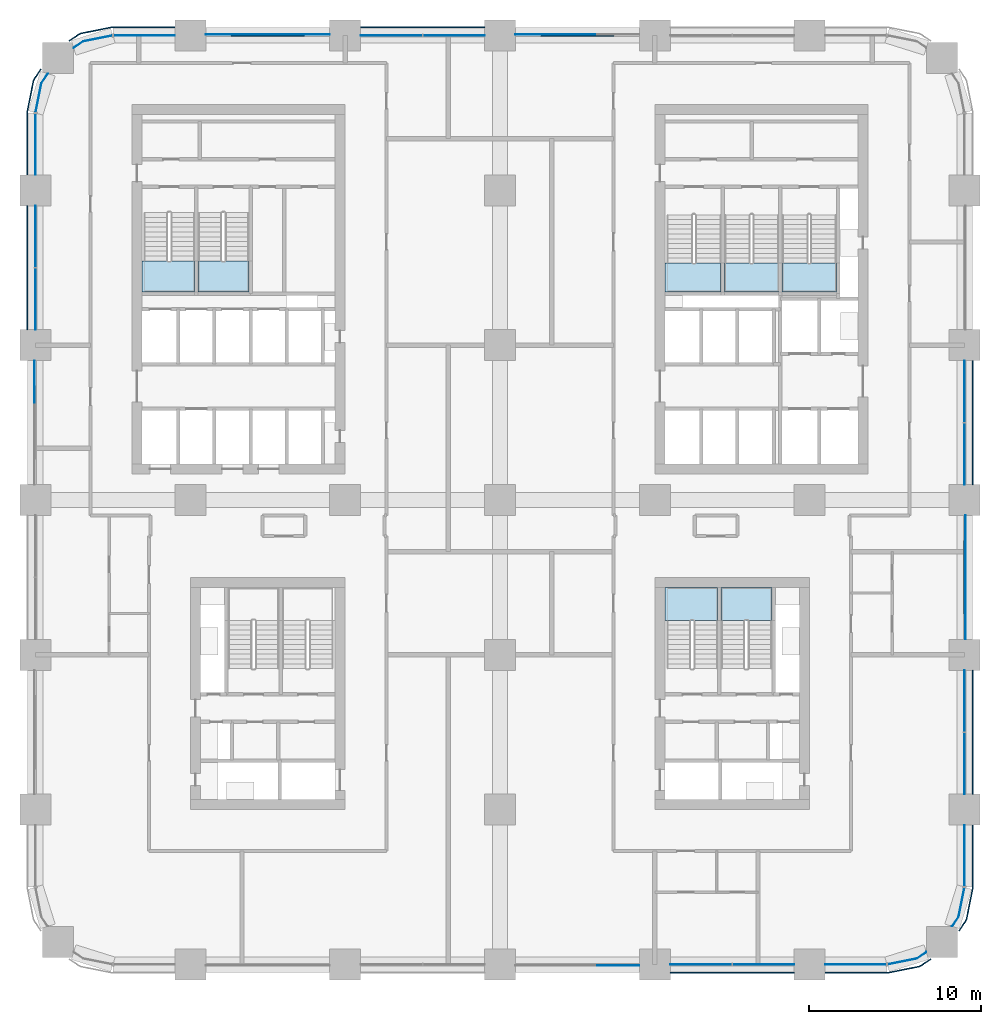
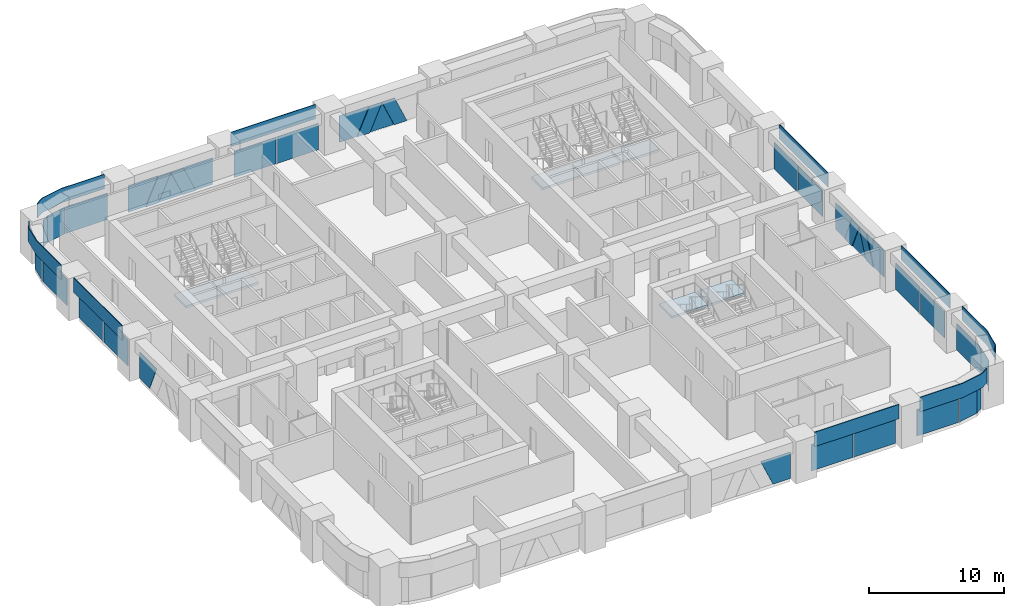
# One storey, part 11 of 21: 40 plates, 7 slabs, 21 elements without a shape of their own.
"""IFC4 building model written with IfcOpenShell, lengths in metres."""

from ifc_helpers import new_model, si_unit, direction, frame, origin, origin_2d, place, context, subcontext, project, spatial, polyline, rectangle, outline, extrude, material, layer, layer_set, type_object, element, aggregate, save


model = new_model("IFC4")

# Units and contexts
model_context = context("Model", 3, precision=1e-05, world=origin(), true_north=direction((0.0, 1.0)))
body_context = subcontext(model_context, "Body", "Model", "MODEL_VIEW")
ifc_project = project(units=[si_unit("LENGTHUNIT", "METRE"), si_unit("AREAUNIT", "SQUARE_METRE"), si_unit("VOLUMEUNIT", "CUBIC_METRE"), si_unit("PLANEANGLEUNIT", "RADIAN"), si_unit("MASSUNIT", "GRAM", prefix="KILO")], contexts=[model_context])

# Site, building, storey
site_placement = place(None, origin())
site = spatial("IfcSite", under=ifc_project, at=site_placement, CompositionType="ELEMENT")
building_placement = place(site_placement, origin())
building = spatial("IfcBuilding", under=site, at=building_placement, Name="Tessera Arch", CompositionType="ELEMENT")
storey_placement = place(building_placement, frame((0.0, 0.0, 65.199951171875)))
storey = spatial("IfcBuildingStorey", under=building, at=storey_placement, Name="L14", CompositionType="ELEMENT", Elevation=65.199951171875)

# Curtain wall, plates
ifc_material_1 = material(Name="CW1 curtain wall")
curtain_wall_type_1 = type_object("IfcCurtainWallType", Name="CW1 curtain wall", PredefinedType="NOTDEFINED", material=ifc_material_1)
curtain_wall_1_placement = place(storey_placement, origin())
curtain_wall_1 = element("IfcCurtainWall", 1, at=curtain_wall_1_placement, inside=storey, type_object=curtain_wall_type_1, Name="CW1 curtain wall S0.0/3 L14", PredefinedType="NOTDEFINED")
ifc_material_2 = material(Name="Clear low-e glass", Category="glass")
ifc_material_3 = material(Name="Clear low-e glass", Category="glass")
ifc_layer_1 = layer(ifc_material_3, 0.028076171875)
ifc_layer_set_1 = layer_set([ifc_layer_1], Name="CW1 glass panel")
plate_type_1 = type_object("IfcPlateType", Name="CW1 glass panel", PredefinedType="CURTAIN_PANEL", material=ifc_layer_set_1)
plate_1_placement = place(storey_placement, frame((38.68505859375, 0.0, 0.0), z_axis=(0.0, 0.0, 1.0), x_axis=(1.0, 0.0, 0.0)))
plate_1 = element("IfcPlate", 2, at=plate_1_placement, type_object=plate_type_1, material=ifc_material_2, Name="CW1 glass panel S0.0/3 1.1.1", PredefinedType="CURTAIN_PANEL", context=body_context, shape_type="SweptSolid", body=[
    extrude(rectangle(XDim=3.570068359375, YDim=0.028076171875, at=origin_2d()), origin(), (0.0, 0.0, 1.0), 2.39990234375),
])
plate_2_placement = place(storey_placement, frame((42.31494140625, 0.0, 0.0), z_axis=(0.0, 0.0, 1.0), x_axis=(1.0, 0.0, 0.0)))
plate_2 = element("IfcPlate", 3, at=plate_2_placement, type_object=plate_type_1, material=ifc_material_2, Name="CW1 glass panel S0.0/3 1.2.1", PredefinedType="CURTAIN_PANEL", context=body_context, shape_type="SweptSolid", body=[
    extrude(rectangle(XDim=3.570068359375, YDim=0.028076171875, at=origin_2d()), origin(), (0.0, 0.0, 1.0), 2.39990234375),
])

curtain_wall_2_placement = place(storey_placement, origin())
curtain_wall_2 = element("IfcCurtainWall", 4, at=curtain_wall_2_placement, inside=storey, type_object=curtain_wall_type_1, Name="CW1 curtain wall E54.0/1 L14", PredefinedType="NOTDEFINED")
plate_3_placement = place(storey_placement, frame((54.0, 11.68505859375, 0.0), z_axis=(0.0, 0.0, 1.0), x_axis=(0.0, 1.0, 0.0)))
plate_3 = element("IfcPlate", 5, at=plate_3_placement, type_object=plate_type_1, material=ifc_material_2, Name="CW1 glass panel E54.0/1 1.1.1", PredefinedType="CURTAIN_PANEL", context=body_context, shape_type="SweptSolid", body=[
    extrude(rectangle(XDim=3.570068359375, YDim=0.028076171875, at=origin_2d()), origin(), (0.0, 0.0, 1.0), 2.39990234375),
])
plate_4_placement = place(storey_placement, frame((54.0, 15.31494140625, 0.0), z_axis=(0.0, 0.0, 1.0), x_axis=(0.0, 1.0, 0.0)))
plate_4 = element("IfcPlate", 6, at=plate_4_placement, type_object=plate_type_1, material=ifc_material_2, Name="CW1 glass panel E54.0/1 1.2.1", PredefinedType="CURTAIN_PANEL", context=body_context, shape_type="SweptSolid", body=[
    extrude(rectangle(XDim=3.570068359375, YDim=0.028076171875, at=origin_2d()), origin(), (0.0, 0.0, 1.0), 2.39990234375),
])

curtain_wall_3_placement = place(storey_placement, origin())
curtain_wall_3 = element("IfcCurtainWall", 7, at=curtain_wall_3_placement, inside=storey, type_object=curtain_wall_type_1, Name="CW1 curtain wall E54.0/3 L14", PredefinedType="NOTDEFINED")
plate_5_placement = place(storey_placement, frame((54.0, 29.68505859375, 0.0), z_axis=(0.0, 0.0, 1.0), x_axis=(0.0, 1.0, 0.0)))
plate_5 = element("IfcPlate", 8, at=plate_5_placement, type_object=plate_type_1, material=ifc_material_2, Name="CW1 glass panel E54.0/3 1.1.1", PredefinedType="CURTAIN_PANEL", context=body_context, shape_type="SweptSolid", body=[
    extrude(rectangle(XDim=3.570068359375, YDim=0.028076171875, at=origin_2d()), origin(), (0.0, 0.0, 1.0), 2.39990234375),
])
plate_6_placement = place(storey_placement, frame((54.0, 33.31494140625, 0.0), z_axis=(0.0, 0.0, 1.0), x_axis=(0.0, 1.0, 0.0)))
plate_6 = element("IfcPlate", 9, at=plate_6_placement, type_object=plate_type_1, material=ifc_material_2, Name="CW1 glass panel E54.0/3 1.2.1", PredefinedType="CURTAIN_PANEL", context=body_context, shape_type="SweptSolid", body=[
    extrude(rectangle(XDim=3.570068359375, YDim=0.028076171875, at=origin_2d()), origin(), (0.0, 0.0, 1.0), 2.39990234375),
])

curtain_wall_4_placement = place(storey_placement, origin())
curtain_wall_4 = element("IfcCurtainWall", 10, at=curtain_wall_4_placement, inside=storey, type_object=curtain_wall_type_1, Name="CW1 curtain wall N54.0/3 L14", PredefinedType="NOTDEFINED")
plate_7_placement = place(storey_placement, frame((24.31494140625, 54.0, 0.0), z_axis=(0.0, 0.0, 1.0), x_axis=(-1.0, 0.0, 0.0)))
plate_7 = element("IfcPlate", 11, at=plate_7_placement, type_object=plate_type_1, material=ifc_material_2, Name="CW1 glass panel N54.0/3 1.1.1", PredefinedType="CURTAIN_PANEL", context=body_context, shape_type="SweptSolid", body=[
    extrude(rectangle(XDim=3.570068359375, YDim=0.028076171875, at=origin_2d()), origin(), (0.0, 0.0, 1.0), 2.39990234375),
])
plate_8_placement = place(storey_placement, frame((20.68505859375, 54.0, 0.0), z_axis=(0.0, 0.0, 1.0), x_axis=(-1.0, 0.0, 0.0)))
plate_8 = element("IfcPlate", 12, at=plate_8_placement, type_object=plate_type_1, material=ifc_material_2, Name="CW1 glass panel N54.0/3 1.2.1", PredefinedType="CURTAIN_PANEL", context=body_context, shape_type="SweptSolid", body=[
    extrude(rectangle(XDim=3.570068359375, YDim=0.028076171875, at=origin_2d()), origin(), (0.0, 0.0, 1.0), 2.39990234375),
])

curtain_wall_5_placement = place(storey_placement, origin())
curtain_wall_5 = element("IfcCurtainWall", 13, at=curtain_wall_5_placement, inside=storey, type_object=curtain_wall_type_1, Name="CW1 curtain wall W0.0/1 L14", PredefinedType="NOTDEFINED")
plate_9_placement = place(storey_placement, frame((0.0, 42.31494140625, 0.0), z_axis=(0.0, 0.0, 1.0), x_axis=(0.0, -1.0, 0.0)))
plate_9 = element("IfcPlate", 14, at=plate_9_placement, type_object=plate_type_1, material=ifc_material_2, Name="CW1 glass panel W0.0/1 1.1.1", PredefinedType="CURTAIN_PANEL", context=body_context, shape_type="SweptSolid", body=[
    extrude(rectangle(XDim=3.570068359375, YDim=0.028076171875, at=origin_2d()), origin(), (0.0, 0.0, 1.0), 2.39990234375),
])
plate_10_placement = place(storey_placement, frame((0.0, 38.68505859375, 0.0), z_axis=(0.0, 0.0, 1.0), x_axis=(0.0, -1.0, 0.0)))
plate_10 = element("IfcPlate", 15, at=plate_10_placement, type_object=plate_type_1, material=ifc_material_2, Name="CW1 glass panel W0.0/1 1.2.1", PredefinedType="CURTAIN_PANEL", context=body_context, shape_type="SweptSolid", body=[
    extrude(rectangle(XDim=3.570068359375, YDim=0.028076171875, at=origin_2d()), origin(), (0.0, 0.0, 1.0), 2.39990234375),
])

# Plate
ifc_material_4 = material(Name="Pale anodised aluminium panel", Category="aluminium")
ifc_layer_2 = layer(ifc_material_4, 0.06005859375)
ifc_layer_set_2 = layer_set([ifc_layer_2], Name="CW1 spandrel panel")
plate_type_2 = type_object("IfcPlateType", Name="CW1 spandrel panel", PredefinedType="CURTAIN_PANEL", material=ifc_layer_set_2)
plate_11_placement = place(storey_placement, frame((40.5, -0.47998046875, 2.5), z_axis=(0.0, 0.0, 1.0), x_axis=(1.0, 0.0, 0.0)))
plate_11 = element("IfcPlate", 16, at=plate_11_placement, type_object=plate_type_2, Name="CW1 spandrel panel S0.0/3", PredefinedType="CURTAIN_PANEL", context=body_context, shape_type="SweptSolid", body=[
    extrude(rectangle(XDim=7.199951171875, YDim=0.06005859375, at=origin_2d()), origin(), (0.0, 0.0, 1.0), 1.300048828125),
])

aggregate(curtain_wall_1, [plate_1, plate_2, plate_11])

plate_12_placement = place(storey_placement, frame((54.47998046875, 13.5, 2.5), z_axis=(0.0, 0.0, 1.0), x_axis=(0.0, 1.0, 0.0)))
plate_12 = element("IfcPlate", 17, at=plate_12_placement, type_object=plate_type_2, Name="CW1 spandrel panel E54.0/1", PredefinedType="CURTAIN_PANEL", context=body_context, shape_type="SweptSolid", body=[
    extrude(rectangle(XDim=7.199951171875, YDim=0.06005859375, at=origin_2d()), origin(), (0.0, 0.0, 1.0), 1.300048828125),
])

aggregate(curtain_wall_2, [plate_3, plate_4, plate_12])

plate_13_placement = place(storey_placement, frame((54.47998046875, 31.5, 2.5), z_axis=(0.0, 0.0, 1.0), x_axis=(0.0, 1.0, 0.0)))
plate_13 = element("IfcPlate", 18, at=plate_13_placement, type_object=plate_type_2, Name="CW1 spandrel panel E54.0/3", PredefinedType="CURTAIN_PANEL", context=body_context, shape_type="SweptSolid", body=[
    extrude(rectangle(XDim=7.199951171875, YDim=0.06005859375, at=origin_2d()), origin(), (0.0, 0.0, 1.0), 1.300048828125),
])

aggregate(curtain_wall_3, [plate_5, plate_6, plate_13])

plate_14_placement = place(storey_placement, frame((22.5, 54.47998046875, 2.5), z_axis=(0.0, 0.0, 1.0), x_axis=(-1.0, 0.0, 0.0)))
plate_14 = element("IfcPlate", 19, at=plate_14_placement, type_object=plate_type_2, Name="CW1 spandrel panel N54.0/3", PredefinedType="CURTAIN_PANEL", context=body_context, shape_type="SweptSolid", body=[
    extrude(rectangle(XDim=7.199951171875, YDim=0.06005859375, at=origin_2d()), origin(), (0.0, 0.0, 1.0), 1.300048828125),
])

aggregate(curtain_wall_4, [plate_7, plate_8, plate_14])

plate_15_placement = place(storey_placement, frame((-0.47998046875, 40.5, 2.5), z_axis=(0.0, 0.0, 1.0), x_axis=(0.0, -1.0, 0.0)))
plate_15 = element("IfcPlate", 20, at=plate_15_placement, type_object=plate_type_2, Name="CW1 spandrel panel W0.0/1", PredefinedType="CURTAIN_PANEL", context=body_context, shape_type="SweptSolid", body=[
    extrude(rectangle(XDim=7.199951171875, YDim=0.06005859375, at=origin_2d()), origin(), (0.0, 0.0, 1.0), 1.300048828125),
])

aggregate(curtain_wall_5, [plate_9, plate_10, plate_15])

# Curtain wall, plates
ifc_material_5 = material(Name="CW2 curtain wall")
curtain_wall_type_2 = type_object("IfcCurtainWallType", Name="CW2 curtain wall", PredefinedType="NOTDEFINED", material=ifc_material_5)
curtain_wall_6_placement = place(storey_placement, origin())
curtain_wall_6 = element("IfcCurtainWall", 21, at=curtain_wall_6_placement, inside=storey, type_object=curtain_wall_type_2, Name="CW2 curtain wall S0.0/4 L14", PredefinedType="NOTDEFINED")
ifc_material_6 = material(Name="Clear low-e glass", Category="glass")
ifc_layer_3 = layer(ifc_material_6, 0.028076171875)
ifc_layer_set_3 = layer_set([ifc_layer_3], Name="CW2 glass panel")
plate_type_3 = type_object("IfcPlateType", Name="CW2 glass panel", PredefinedType="CURTAIN_PANEL", material=ifc_layer_set_3)
plate_16_placement = place(storey_placement, frame((47.679931640625, 0.0, 0.0), z_axis=(0.0, 0.0, 1.0), x_axis=(1.0, 0.0, 0.0)))
plate_16 = element("IfcPlate", 22, at=plate_16_placement, type_object=plate_type_3, material=ifc_material_2, Name="CW2 glass panel S0.0/4 1.1", PredefinedType="CURTAIN_PANEL", context=body_context, shape_type="SweptSolid", body=[
    extrude(rectangle(XDim=3.56005859375, YDim=0.028076171875, at=origin_2d()), origin(), (0.0, 0.0, 1.0), 2.39990234375),
])
plate_17_placement = place(storey_placement, origin())
plate_17 = element("IfcPlate", 23, at=plate_17_placement, type_object=plate_type_3, material=ifc_material_2, Name="CW2 curved glass panel S0.0/4 2.1", PredefinedType="CURTAIN_PANEL", context=body_context, shape_type="SweptSolid", body=[
    extrude(outline(polyline([(51.216552734375, 0.355712890625), (49.53662109375, 0.021484375), (49.5419921875, -0.005859375), (51.2275390625, 0.329345703125), (51.789794921875, 0.705078125), (51.774169921875, 0.728271484375), (51.216552734375, 0.355712890625)])), origin(), (0.0, 0.0, 1.0), 2.400146484375),
])

curtain_wall_7_placement = place(storey_placement, origin())
curtain_wall_7 = element("IfcCurtainWall", 24, at=curtain_wall_7_placement, inside=storey, type_object=curtain_wall_type_2, Name="CW2 curtain wall E54.0/0 L14", PredefinedType="NOTDEFINED")
plate_18_placement = place(storey_placement, frame((54.0, 6.320068359375, 0.0), z_axis=(0.0, 0.0, 1.0), x_axis=(0.0, 1.0, 0.0)))
plate_18 = element("IfcPlate", 25, at=plate_18_placement, type_object=plate_type_3, material=ifc_material_2, Name="CW2 glass panel E54.0/0 1.1", PredefinedType="CURTAIN_PANEL", context=body_context, shape_type="SweptSolid", body=[
    extrude(rectangle(XDim=3.56005859375, YDim=0.028076171875, at=origin_2d()), origin(), (0.0, 0.0, 1.0), 2.39990234375),
])
plate_19_placement = place(storey_placement, origin())
plate_19 = element("IfcPlate", 26, at=plate_19_placement, type_object=plate_type_3, material=ifc_material_2, Name="CW2 curved glass panel E54.0/0 2.1", PredefinedType="CURTAIN_PANEL", context=body_context, shape_type="SweptSolid", body=[
    extrude(outline(polyline([(53.644287109375, 2.783447265625), (53.271728515625, 2.225830078125), (53.294921875, 2.210205078125), (53.670654296875, 2.7724609375), (54.005859375, 4.4580078125), (53.978515625, 4.46337890625), (53.644287109375, 2.783447265625)])), origin(), (0.0, 0.0, 1.0), 2.400146484375),
])

curtain_wall_8_placement = place(storey_placement, origin())
curtain_wall_8 = element("IfcCurtainWall", 27, at=curtain_wall_8_placement, inside=storey, type_object=curtain_wall_type_2, Name="CW2 curtain wall N54.0/5 L14", PredefinedType="NOTDEFINED")
plate_20_placement = place(storey_placement, frame((6.320068359375, 54.0, 0.0), z_axis=(0.0, 0.0, 1.0), x_axis=(-1.0, 0.0, 0.0)))
plate_20 = element("IfcPlate", 28, at=plate_20_placement, type_object=plate_type_3, material=ifc_material_2, Name="CW2 glass panel N54.0/5 1.1", PredefinedType="CURTAIN_PANEL", context=body_context, shape_type="SweptSolid", body=[
    extrude(rectangle(XDim=3.56005859375, YDim=0.028076171875, at=origin_2d()), origin(), (0.0, 0.0, 1.0), 2.39990234375),
])
plate_21_placement = place(storey_placement, origin())
plate_21 = element("IfcPlate", 29, at=plate_21_placement, type_object=plate_type_3, material=ifc_material_2, Name="CW2 curved glass panel N54.0/5 2.1", PredefinedType="CURTAIN_PANEL", context=body_context, shape_type="SweptSolid", body=[
    extrude(outline(polyline([(2.783447265625, 53.644287109375), (4.46337890625, 53.978515625), (4.4580078125, 54.005859375), (2.7724609375, 53.670654296875), (2.210205078125, 53.294921875), (2.225830078125, 53.271728515625), (2.783447265625, 53.644287109375)])), origin(), (0.0, 0.0, 1.0), 2.400146484375),
])

curtain_wall_9_placement = place(storey_placement, origin())
curtain_wall_9 = element("IfcCurtainWall", 30, at=curtain_wall_9_placement, inside=storey, type_object=curtain_wall_type_2, Name="CW2 curtain wall W0.0/0 L14", PredefinedType="NOTDEFINED")
plate_22_placement = place(storey_placement, frame((0.0, 47.679931640625, 0.0), z_axis=(0.0, 0.0, 1.0), x_axis=(0.0, -1.0, 0.0)))
plate_22 = element("IfcPlate", 31, at=plate_22_placement, type_object=plate_type_3, material=ifc_material_2, Name="CW2 glass panel W0.0/0 1.1", PredefinedType="CURTAIN_PANEL", context=body_context, shape_type="SweptSolid", body=[
    extrude(rectangle(XDim=3.56005859375, YDim=0.028076171875, at=origin_2d()), origin(), (0.0, 0.0, 1.0), 2.39990234375),
])
plate_23_placement = place(storey_placement, origin())
plate_23 = element("IfcPlate", 32, at=plate_23_placement, type_object=plate_type_3, material=ifc_material_2, Name="CW2 curved glass panel W0.0/0 2.1", PredefinedType="CURTAIN_PANEL", context=body_context, shape_type="SweptSolid", body=[
    extrude(outline(polyline([(0.355712890625, 51.216552734375), (0.728271484375, 51.774169921875), (0.705078125, 51.789794921875), (0.329345703125, 51.2275390625), (-0.005859375, 49.5419921875), (0.021484375, 49.53662109375), (0.355712890625, 51.216552734375)])), origin(), (0.0, 0.0, 1.0), 2.400146484375),
])

# Plate
ifc_material_7 = material(Name="Pale anodised aluminium panel", Category="aluminium")
ifc_layer_4 = layer(ifc_material_7, 0.06005859375)
ifc_layer_set_4 = layer_set([ifc_layer_4], Name="CW2 spandrel panel")
plate_type_4 = type_object("IfcPlateType", Name="CW2 spandrel panel", PredefinedType="CURTAIN_PANEL", material=ifc_layer_set_4)
plate_24_placement = place(storey_placement, frame((0.0, 0.0, 2.5)))
plate_24 = element("IfcPlate", 33, at=plate_24_placement, type_object=plate_type_4, Name="CW2 spandrel panel S0.0/4", PredefinedType="CURTAIN_PANEL", context=body_context, shape_type="SweptSolid", body=[
    extrude(outline(polyline([(49.499267578125, -0.449951171875), (45.89990234375, -0.449951171875), (45.89990234375, -0.510009765625), (49.500732421875, -0.510009765625), (49.550048828125, -0.507568359375), (49.598876953125, -0.500244140625), (51.322265625, -0.157470703125), (51.3701171875, -0.1455078125), (51.417236328125, -0.128662109375), (51.462646484375, -0.107177734375), (51.5048828125, -0.08203125), (52.0654296875, 0.292724609375), (52.031982421875, 0.342529296875), (51.47265625, -0.03125), (51.434326171875, -0.05419921875), (51.394287109375, -0.0732421875), (51.352783203125, -0.088134765625), (51.30908203125, -0.09912109375), (49.588623046875, -0.441162109375), (49.544189453125, -0.44775390625), (49.499267578125, -0.449951171875)])), origin(), (0.0, 0.0, 1.0), 1.300048828125),
])

aggregate(curtain_wall_6, [plate_16, plate_17, plate_24])

plate_25_placement = place(storey_placement, frame((0.0, 0.0, 2.5)))
plate_25 = element("IfcPlate", 34, at=plate_25_placement, type_object=plate_type_4, Name="CW2 spandrel panel E54.0/0", PredefinedType="CURTAIN_PANEL", context=body_context, shape_type="SweptSolid", body=[
    extrude(outline(polyline([(54.03125, 2.52734375), (53.657470703125, 1.968017578125), (53.707275390625, 1.9345703125), (54.08203125, 2.4951171875), (54.107177734375, 2.537353515625), (54.128662109375, 2.582763671875), (54.1455078125, 2.6298828125), (54.157470703125, 2.677734375), (54.500244140625, 4.401123046875), (54.507568359375, 4.449951171875), (54.510009765625, 4.499267578125), (54.510009765625, 8.10009765625), (54.449951171875, 8.10009765625), (54.449951171875, 4.500732421875), (54.44775390625, 4.455810546875), (54.441162109375, 4.411376953125), (54.09912109375, 2.69091796875), (54.088134765625, 2.647216796875), (54.0732421875, 2.605712890625), (54.05419921875, 2.565673828125), (54.03125, 2.52734375)])), origin(), (0.0, 0.0, 1.0), 1.300048828125),
])

aggregate(curtain_wall_7, [plate_18, plate_19, plate_25])

plate_26_placement = place(storey_placement, frame((0.0, 0.0, 2.5)))
plate_26 = element("IfcPlate", 35, at=plate_26_placement, type_object=plate_type_4, Name="CW2 spandrel panel N54.0/5", PredefinedType="CURTAIN_PANEL", context=body_context, shape_type="SweptSolid", body=[
    extrude(outline(polyline([(4.500732421875, 54.449951171875), (8.10009765625, 54.449951171875), (8.10009765625, 54.510009765625), (4.499267578125, 54.510009765625), (4.449951171875, 54.507568359375), (4.401123046875, 54.500244140625), (2.677734375, 54.157470703125), (2.6298828125, 54.1455078125), (2.582763671875, 54.128662109375), (2.537353515625, 54.107177734375), (2.4951171875, 54.08203125), (1.9345703125, 53.707275390625), (1.968017578125, 53.657470703125), (2.52734375, 54.03125), (2.565673828125, 54.05419921875), (2.605712890625, 54.0732421875), (2.647216796875, 54.088134765625), (2.69091796875, 54.09912109375), (4.411376953125, 54.441162109375), (4.455810546875, 54.44775390625), (4.500732421875, 54.449951171875)])), origin(), (0.0, 0.0, 1.0), 1.300048828125),
])

aggregate(curtain_wall_8, [plate_20, plate_21, plate_26])

plate_27_placement = place(storey_placement, frame((0.0, 0.0, 2.5)))
plate_27 = element("IfcPlate", 36, at=plate_27_placement, type_object=plate_type_4, Name="CW2 spandrel panel W0.0/0", PredefinedType="CURTAIN_PANEL", context=body_context, shape_type="SweptSolid", body=[
    extrude(outline(polyline([(-0.03125, 51.47265625), (0.342529296875, 52.031982421875), (0.292724609375, 52.0654296875), (-0.08203125, 51.5048828125), (-0.107177734375, 51.462646484375), (-0.128662109375, 51.417236328125), (-0.1455078125, 51.3701171875), (-0.157470703125, 51.322265625), (-0.500244140625, 49.598876953125), (-0.507568359375, 49.550048828125), (-0.510009765625, 49.500732421875), (-0.510009765625, 45.89990234375), (-0.449951171875, 45.89990234375), (-0.449951171875, 49.499267578125), (-0.44775390625, 49.544189453125), (-0.441162109375, 49.588623046875), (-0.09912109375, 51.30908203125), (-0.088134765625, 51.352783203125), (-0.0732421875, 51.394287109375), (-0.05419921875, 51.434326171875), (-0.03125, 51.47265625)])), origin(), (0.0, 0.0, 1.0), 1.300048828125),
])

aggregate(curtain_wall_9, [plate_22, plate_23, plate_27])

# Curtain wall, plate
ifc_material_8 = material(Name="CW3 curtain wall")
curtain_wall_type_3 = type_object("IfcCurtainWallType", Name="CW3 curtain wall", PredefinedType="NOTDEFINED", material=ifc_material_8)
curtain_wall_10_placement = place(storey_placement, origin())
curtain_wall_10 = element("IfcCurtainWall", 37, at=curtain_wall_10_placement, inside=storey, type_object=curtain_wall_type_3, Name="CW3 curtain wall E54.0/2 L14", PredefinedType="NOTDEFINED")
ifc_material_9 = material(Name="Pale anodised aluminium panel", Category="aluminium")
ifc_layer_5 = layer(ifc_material_9, 0.06005859375)
ifc_layer_set_5 = layer_set([ifc_layer_5], Name="CW3 diagonal panel")
plate_type_5 = type_object("IfcPlateType", Name="CW3 diagonal panel", PredefinedType="CURTAIN_PANEL", material=ifc_layer_set_5)
plate_28_placement = place(storey_placement, frame((54.030029296875, 23.569580078125, 2.400146484375), z_axis=(1.0, 0.0, 0.0), x_axis=(0.0, -1.0, 0.0)))
plate_28 = element("IfcPlate", 38, at=plate_28_placement, type_object=plate_type_5, Name="CW3 diagonal panel E54.0/2 1", PredefinedType="CURTAIN_PANEL", context=body_context, shape_type="SweptSolid", body=[
    extrude(outline(polyline([(0.0, 0.0), (2.13916015625, 0.0), (3.19287109375, 2.400146484375), (2.107177734375, 2.400146484375), (1.069580078125, 0.036376953125), (0.031982421875, 2.400146484375), (-1.0537109375, 2.400146484375), (0.0, 0.0)])), origin(), (0.0, 0.0, -1.0), 0.06005859375),
])

curtain_wall_11_placement = place(storey_placement, origin())
curtain_wall_11 = element("IfcCurtainWall", 39, at=curtain_wall_11_placement, inside=storey, type_object=curtain_wall_type_3, Name="CW3 curtain wall N54.0/2 L14", PredefinedType="NOTDEFINED")
plate_29_placement = place(storey_placement, frame((30.430419921875, 54.030029296875, 2.400146484375), z_axis=(0.0, 1.0, 0.0), x_axis=(1.0, 0.0, 0.0)))
plate_29 = element("IfcPlate", 40, at=plate_29_placement, type_object=plate_type_5, Name="CW3 diagonal panel N54.0/2 1", PredefinedType="CURTAIN_PANEL", context=body_context, shape_type="SweptSolid", body=[
    extrude(outline(polyline([(0.0, 0.0), (2.13916015625, 0.0), (3.19287109375, 2.400146484375), (2.107177734375, 2.400146484375), (1.069580078125, 0.036376953125), (0.031982421875, 2.400146484375), (-1.0537109375, 2.400146484375), (0.0, 0.0)])), origin(), (0.0, 0.0, -1.0), 0.06005859375),
])

curtain_wall_12_placement = place(storey_placement, origin())
curtain_wall_12 = element("IfcCurtainWall", 41, at=curtain_wall_12_placement, inside=storey, type_object=curtain_wall_type_3, Name="CW3 curtain wall N54.0/4 L14", PredefinedType="NOTDEFINED")
plate_30_placement = place(storey_placement, frame((12.430419921875, 54.030029296875, 2.400146484375), z_axis=(0.0, 1.0, 0.0), x_axis=(1.0, 0.0, 0.0)))
plate_30 = element("IfcPlate", 42, at=plate_30_placement, type_object=plate_type_5, Name="CW3 diagonal panel N54.0/4 1", PredefinedType="CURTAIN_PANEL", context=body_context, shape_type="SweptSolid", body=[
    extrude(outline(polyline([(0.0, 0.0), (2.13916015625, 0.0), (3.19287109375, 2.400146484375), (2.107177734375, 2.400146484375), (1.069580078125, 0.036376953125), (0.031982421875, 2.400146484375), (-1.0537109375, 2.400146484375), (0.0, 0.0)])), origin(), (0.0, 0.0, -1.0), 0.06005859375),
])

curtain_wall_13_placement = place(storey_placement, origin())
curtain_wall_13 = element("IfcCurtainWall", 43, at=curtain_wall_13_placement, inside=storey, type_object=curtain_wall_type_3, Name="CW3 curtain wall S0.0/2 L14", PredefinedType="NOTDEFINED")
ifc_material_10 = material(Name="Clear low-e glass", Category="glass")
ifc_layer_6 = layer(ifc_material_10, 0.028076171875)
ifc_layer_set_6 = layer_set([ifc_layer_6], Name="CW3 glass panel")
plate_type_6 = type_object("IfcPlateType", Name="CW3 glass panel", PredefinedType="CURTAIN_PANEL", material=ifc_layer_set_6)
plate_31_placement = place(storey_placement, frame((35.10009765625, -0.05810546875, 2.400146484375), z_axis=(0.0, -1.0, 0.0), x_axis=(-1.0, 0.0, 0.0)))
plate_31 = element("IfcPlate", 44, at=plate_31_placement, type_object=plate_type_6, material=ifc_material_2, Name="CW3 triangulated glass panel S0.0/2 3", PredefinedType="CURTAIN_PANEL", context=body_context, shape_type="SweptSolid", body=[
    extrude(outline(polyline([(0.0, 0.0), (2.530517578125, 0.0), (1.476806640625, 2.400146484375), (0.0, 2.400146484375), (0.0, 0.0)])), origin(), (0.0, 0.0, -1.0), 0.028076171875),
])
aggregate(curtain_wall_13, [plate_31])

# Plate
plate_32_placement = place(storey_placement, frame((54.05810546875, 18.89990234375, 0.0), z_axis=(1.0, 0.0, 0.0), x_axis=(0.0, 1.0, 0.0)))
plate_32 = element("IfcPlate", 45, at=plate_32_placement, type_object=plate_type_6, material=ifc_material_2, Name="CW3 triangulated glass panel E54.0/2 1", PredefinedType="CURTAIN_PANEL", context=body_context, shape_type="SweptSolid", body=[
    extrude(outline(polyline([(0.0, 0.0), (1.476806640625, 0.0), (2.530517578125, 2.400146484375), (0.0, 2.400146484375), (0.0, 0.0)])), origin(), (0.0, 0.0, -1.0), 0.028076171875),
])

plate_33_placement = place(storey_placement, frame((54.05810546875, 21.46240234375, 0.0), z_axis=(1.0, 0.0, 0.0), x_axis=(0.0, 1.0, 0.0)))
plate_33 = element("IfcPlate", 46, at=plate_33_placement, type_object=plate_type_6, material=ifc_material_2, Name="CW3 triangulated glass panel E54.0/2 2", PredefinedType="CURTAIN_PANEL", context=body_context, shape_type="SweptSolid", body=[
    extrude(outline(polyline([(0.0, 0.0), (2.0751953125, 0.0), (1.03759765625, 2.36376953125), (0.0, 0.0)])), origin(), (0.0, 0.0, -1.0), 0.028076171875),
])

plate_34_placement = place(storey_placement, frame((54.05810546875, 26.10009765625, 2.400146484375), z_axis=(1.0, 0.0, 0.0), x_axis=(0.0, -1.0, 0.0)))
plate_34 = element("IfcPlate", 47, at=plate_34_placement, type_object=plate_type_6, material=ifc_material_2, Name="CW3 triangulated glass panel E54.0/2 3", PredefinedType="CURTAIN_PANEL", context=body_context, shape_type="SweptSolid", body=[
    extrude(outline(polyline([(0.0, 0.0), (2.530517578125, 0.0), (1.476806640625, 2.400146484375), (0.0, 2.400146484375), (0.0, 0.0)])), origin(), (0.0, 0.0, -1.0), 0.028076171875),
])

aggregate(curtain_wall_10, [plate_32, plate_33, plate_34, plate_28])

plate_35_placement = place(storey_placement, frame((32.53759765625, 54.05810546875, 0.0), z_axis=(0.0, 1.0, 0.0), x_axis=(-1.0, 0.0, 0.0)))
plate_35 = element("IfcPlate", 48, at=plate_35_placement, type_object=plate_type_6, material=ifc_material_2, Name="CW3 triangulated glass panel N54.0/2 2", PredefinedType="CURTAIN_PANEL", context=body_context, shape_type="SweptSolid", body=[
    extrude(outline(polyline([(0.0, 0.0), (2.0751953125, 0.0), (1.03759765625, 2.36376953125), (0.0, 0.0)])), origin(), (0.0, 0.0, -1.0), 0.028076171875),
])

plate_36_placement = place(storey_placement, frame((27.89990234375, 54.05810546875, 2.400146484375), z_axis=(0.0, 1.0, 0.0), x_axis=(1.0, 0.0, 0.0)))
plate_36 = element("IfcPlate", 49, at=plate_36_placement, type_object=plate_type_6, material=ifc_material_2, Name="CW3 triangulated glass panel N54.0/2 3", PredefinedType="CURTAIN_PANEL", context=body_context, shape_type="SweptSolid", body=[
    extrude(outline(polyline([(0.0, 0.0), (2.530517578125, 0.0), (1.476806640625, 2.400146484375), (0.0, 2.400146484375), (0.0, 0.0)])), origin(), (0.0, 0.0, -1.0), 0.028076171875),
])

aggregate(curtain_wall_11, [plate_35, plate_36, plate_29])

plate_37_placement = place(storey_placement, frame((17.10009765625, 54.05810546875, 0.0), z_axis=(0.0, 1.0, 0.0), x_axis=(-1.0, 0.0, 0.0)))
plate_37 = element("IfcPlate", 50, at=plate_37_placement, type_object=plate_type_6, material=ifc_material_2, Name="CW3 triangulated glass panel N54.0/4 1", PredefinedType="CURTAIN_PANEL", context=body_context, shape_type="SweptSolid", body=[
    extrude(outline(polyline([(0.0, 0.0), (1.476806640625, 0.0), (2.530517578125, 2.400146484375), (0.0, 2.400146484375), (0.0, 0.0)])), origin(), (0.0, 0.0, -1.0), 0.028076171875),
])

plate_38_placement = place(storey_placement, frame((14.53759765625, 54.05810546875, 0.0), z_axis=(0.0, 1.0, 0.0), x_axis=(-1.0, 0.0, 0.0)))
plate_38 = element("IfcPlate", 51, at=plate_38_placement, type_object=plate_type_6, material=ifc_material_2, Name="CW3 triangulated glass panel N54.0/4 2", PredefinedType="CURTAIN_PANEL", context=body_context, shape_type="SweptSolid", body=[
    extrude(outline(polyline([(0.0, 0.0), (2.0751953125, 0.0), (1.03759765625, 2.36376953125), (0.0, 0.0)])), origin(), (0.0, 0.0, -1.0), 0.028076171875),
])

plate_39_placement = place(storey_placement, frame((9.89990234375, 54.05810546875, 2.400146484375), z_axis=(0.0, 1.0, 0.0), x_axis=(1.0, 0.0, 0.0)))
plate_39 = element("IfcPlate", 52, at=plate_39_placement, type_object=plate_type_6, material=ifc_material_2, Name="CW3 triangulated glass panel N54.0/4 3", PredefinedType="CURTAIN_PANEL", context=body_context, shape_type="SweptSolid", body=[
    extrude(outline(polyline([(0.0, 0.0), (2.530517578125, 0.0), (1.476806640625, 2.400146484375), (0.0, 2.400146484375), (0.0, 0.0)])), origin(), (0.0, 0.0, -1.0), 0.028076171875),
])

aggregate(curtain_wall_12, [plate_37, plate_38, plate_39, plate_30])

# Curtain wall, plate
curtain_wall_14_placement = place(storey_placement, origin())
curtain_wall_14 = element("IfcCurtainWall", 53, at=curtain_wall_14_placement, inside=storey, type_object=curtain_wall_type_3, Name="CW3 curtain wall W0.0/2 L14", PredefinedType="NOTDEFINED")
plate_40_placement = place(storey_placement, frame((-0.05810546875, 35.10009765625, 0.0), z_axis=(-1.0, 0.0, 0.0), x_axis=(0.0, -1.0, 0.0)))
plate_40 = element("IfcPlate", 54, at=plate_40_placement, type_object=plate_type_6, material=ifc_material_2, Name="CW3 triangulated glass panel W0.0/2 1", PredefinedType="CURTAIN_PANEL", context=body_context, shape_type="SweptSolid", body=[
    extrude(outline(polyline([(0.0, 0.0), (1.476806640625, 0.0), (2.530517578125, 2.400146484375), (0.0, 2.400146484375), (0.0, 0.0)])), origin(), (0.0, 0.0, -1.0), 0.028076171875),
])
aggregate(curtain_wall_14, [plate_40])

# Stair, slab
ifc_material_11 = material(Name="Concrete C40/50", Category="concrete")
stair_type_1 = type_object("IfcStairType", Name="Dogleg stair 1520", PredefinedType="HALF_TURN_STAIR", material=ifc_material_11)
stair_1_placement = place(storey_placement, origin())
stair_1 = element("IfcStair", 55, at=stair_1_placement, inside=storey, type_object=stair_type_1, Name="L14 S1a", PredefinedType="HALF_TURN_STAIR")
ifc_material_12 = material(Name="Concrete C40/50", Category="concrete")
ifc_layer_7 = layer(ifc_material_12, 0.300048828125)
ifc_layer_set_7 = layer_set([ifc_layer_7], Name="Stair landing 300")
slab_type = type_object("IfcSlabType", Name="Stair landing 300", PredefinedType="LANDING", material=ifc_layer_set_7)
slab_1_placement = place(storey_placement, frame((0.0, 0.0, 1.699951171875)))
slab_1 = element("IfcSlab", 56, at=slab_1_placement, type_object=slab_type, Name="S1a landing 1", PredefinedType="LANDING", context=body_context, shape_type="SweptSolid", body=[
    extrude(outline(polyline([(36.60009765625, 40.780029296875), (36.60009765625, 39.10009765625), (39.85009765625, 39.10009765625), (39.85009765625, 40.780029296875), (36.60009765625, 40.780029296875)])), origin(), (0.0, 0.0, 1.0), 0.2001953125),
])
aggregate(stair_1, [slab_1])

stair_2_placement = place(storey_placement, origin())
stair_2 = element("IfcStair", 57, at=stair_2_placement, inside=storey, type_object=stair_type_1, Name="L14 S1b", PredefinedType="HALF_TURN_STAIR")
slab_2_placement = place(storey_placement, frame((0.0, 0.0, 1.699951171875)))
slab_2 = element("IfcSlab", 58, at=slab_2_placement, type_object=slab_type, Name="S1b landing 1", PredefinedType="LANDING", context=body_context, shape_type="SweptSolid", body=[
    extrude(outline(polyline([(40.050048828125, 40.780029296875), (40.050048828125, 39.10009765625), (43.199951171875, 39.10009765625), (43.199951171875, 40.780029296875), (40.050048828125, 40.780029296875)])), origin(), (0.0, 0.0, 1.0), 0.2001953125),
])
aggregate(stair_2, [slab_2])

stair_3_placement = place(storey_placement, origin())
stair_3 = element("IfcStair", 59, at=stair_3_placement, inside=storey, type_object=stair_type_1, Name="L14 S1c", PredefinedType="HALF_TURN_STAIR")
slab_3_placement = place(storey_placement, frame((0.0, 0.0, 1.699951171875)))
slab_3 = element("IfcSlab", 60, at=slab_3_placement, type_object=slab_type, Name="S1c landing 1", PredefinedType="LANDING", context=body_context, shape_type="SweptSolid", body=[
    extrude(outline(polyline([(43.39990234375, 40.780029296875), (43.39990234375, 39.10009765625), (46.550048828125, 39.10009765625), (46.550048828125, 40.780029296875), (43.39990234375, 40.780029296875)])), origin(), (0.0, 0.0, 1.0), 0.2001953125),
])
aggregate(stair_3, [slab_3])

ifc_material_13 = material(Name="Concrete C40/50", Category="concrete")
stair_type_2 = type_object("IfcStairType", Name="Dogleg stair 1400", PredefinedType="HALF_TURN_STAIR", material=ifc_material_13)
stair_4_placement = place(storey_placement, origin())
stair_4 = element("IfcStair", 61, at=stair_4_placement, inside=storey, type_object=stair_type_2, Name="L14 S2a", PredefinedType="HALF_TURN_STAIR")
slab_4_placement = place(storey_placement, frame((0.0, 0.0, 1.699951171875)))
slab_4 = element("IfcSlab", 62, at=slab_4_placement, type_object=slab_type, Name="S2a landing 1", PredefinedType="LANDING", context=body_context, shape_type="SweptSolid", body=[
    extrude(outline(polyline([(6.199951171875, 40.89990234375), (6.199951171875, 39.10009765625), (9.25, 39.10009765625), (9.25, 40.89990234375), (6.199951171875, 40.89990234375)])), origin(), (0.0, 0.0, 1.0), 0.2001953125),
])
aggregate(stair_4, [slab_4])

stair_5_placement = place(storey_placement, origin())
stair_5 = element("IfcStair", 63, at=stair_5_placement, inside=storey, type_object=stair_type_2, Name="L14 S2b", PredefinedType="HALF_TURN_STAIR")
slab_5_placement = place(storey_placement, frame((0.0, 0.0, 1.699951171875)))
slab_5 = element("IfcSlab", 64, at=slab_5_placement, type_object=slab_type, Name="S2b landing 1", PredefinedType="LANDING", context=body_context, shape_type="SweptSolid", body=[
    extrude(outline(polyline([(9.449951171875, 40.89990234375), (9.449951171875, 39.10009765625), (12.39990234375, 39.10009765625), (12.39990234375, 40.89990234375), (9.449951171875, 40.89990234375)])), origin(), (0.0, 0.0, 1.0), 0.2001953125),
])
aggregate(stair_5, [slab_5])

stair_6_placement = place(storey_placement, origin())
stair_6 = element("IfcStair", 65, at=stair_6_placement, inside=storey, type_object=stair_type_2, Name="L14 S3a", PredefinedType="HALF_TURN_STAIR")
slab_6_placement = place(storey_placement, frame((0.0, 0.0, 1.699951171875)))
slab_6 = element("IfcSlab", 66, at=slab_6_placement, type_object=slab_type, Name="S3a landing 1", PredefinedType="LANDING", context=body_context, shape_type="SweptSolid", body=[
    extrude(outline(polyline([(39.64990234375, 20.0), (39.64990234375, 21.89990234375), (36.60009765625, 21.89990234375), (36.60009765625, 20.0), (39.64990234375, 20.0)])), origin(), (0.0, 0.0, 1.0), 0.2001953125),
])
aggregate(stair_6, [slab_6])

stair_7_placement = place(storey_placement, origin())
stair_7 = element("IfcStair", 67, at=stair_7_placement, inside=storey, type_object=stair_type_2, Name="L14 S3b", PredefinedType="HALF_TURN_STAIR")
slab_7_placement = place(storey_placement, frame((0.0, 0.0, 1.699951171875)))
slab_7 = element("IfcSlab", 68, at=slab_7_placement, type_object=slab_type, Name="S3b landing 1", PredefinedType="LANDING", context=body_context, shape_type="SweptSolid", body=[
    extrude(outline(polyline([(42.800048828125, 20.0), (42.800048828125, 21.89990234375), (39.85009765625, 21.89990234375), (39.85009765625, 20.0), (42.800048828125, 20.0)])), origin(), (0.0, 0.0, 1.0), 0.2001953125),
])
aggregate(stair_7, [slab_7])

save(model, "model.ifc")
